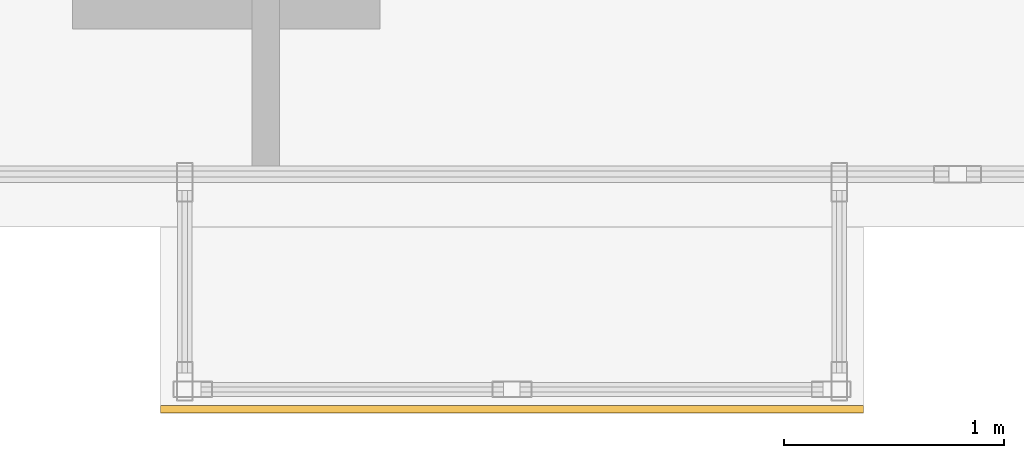
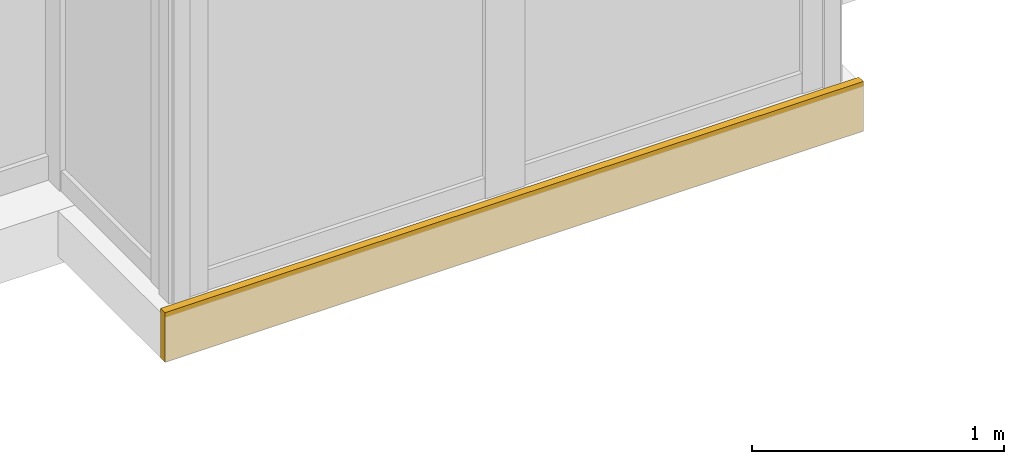
# One storey, part 27 of 28: 1 covering.
"""IFC4 building model written with IfcOpenShell, lengths in metres."""

from ifc_helpers import new_model, si_unit, direction, frame, origin, origin_2d, place, context, subcontext, project, spatial, rectangle, extrude, material, layer, layer_set, type_object, element, save


model = new_model("IFC4")

# Units and contexts
model_context = context("Model", 3, precision=1e-05, world=origin(), true_north=direction((0.0, 1.0)))
body_context = subcontext(model_context, "Body", "Model", "MODEL_VIEW")
ifc_project = project(units=[si_unit("LENGTHUNIT", "METRE"), si_unit("AREAUNIT", "SQUARE_METRE"), si_unit("VOLUMEUNIT", "CUBIC_METRE"), si_unit("PLANEANGLEUNIT", "RADIAN"), si_unit("MASSUNIT", "GRAM", prefix="KILO")], contexts=[model_context])

# Site, building, storey
site_placement = place(None, origin())
site = spatial("IfcSite", under=ifc_project, at=site_placement, CompositionType="ELEMENT")
building_placement = place(site_placement, origin())
building = spatial("IfcBuilding", under=site, at=building_placement, Name="Kolvaren Waterfront Exchange", CompositionType="ELEMENT")
storey_placement = place(building_placement, frame((0.0, 0.0, 103.10009765625)))
storey = spatial("IfcBuildingStorey", under=building, at=storey_placement, Name="L26", CompositionType="ELEMENT", Elevation=103.10009765625)

# Covering
ifc_material = material(Name="Anodised bronze fascia aluminium", Category="aluminium")
ifc_layer = layer(ifc_material, 0.034912109375, Name="Anodised bronze fascia aluminium")
ifc_layer_set = layer_set([ifc_layer], Name="Anodised bronze fascia aluminium")
covering_type = type_object("IfcCoveringType", Name="ARC-CLAD-BRONZE-35", PredefinedType="CLADDING", material=ifc_layer_set)
covering_placement = place(storey_placement, frame((38.10009765625, 2.77001953125, -0.22021484375), z_axis=(0.0, 0.0, 1.0), x_axis=(1.0, 0.0, 0.0)))
element("IfcCovering", 1, at=covering_placement, inside=storey, type_object=covering_type, Name="L26 ribbed anodised bronze bay-box fascia", PredefinedType="CLADDING", context=body_context, shape_type="SweptSolid", body=[
    extrude(rectangle(XDim=3.199951171875, YDim=0.034912109375, at=origin_2d()), origin(), (0.0, 0.0, 1.0), 0.239990234375),
])

save(model, "model.ifc")
